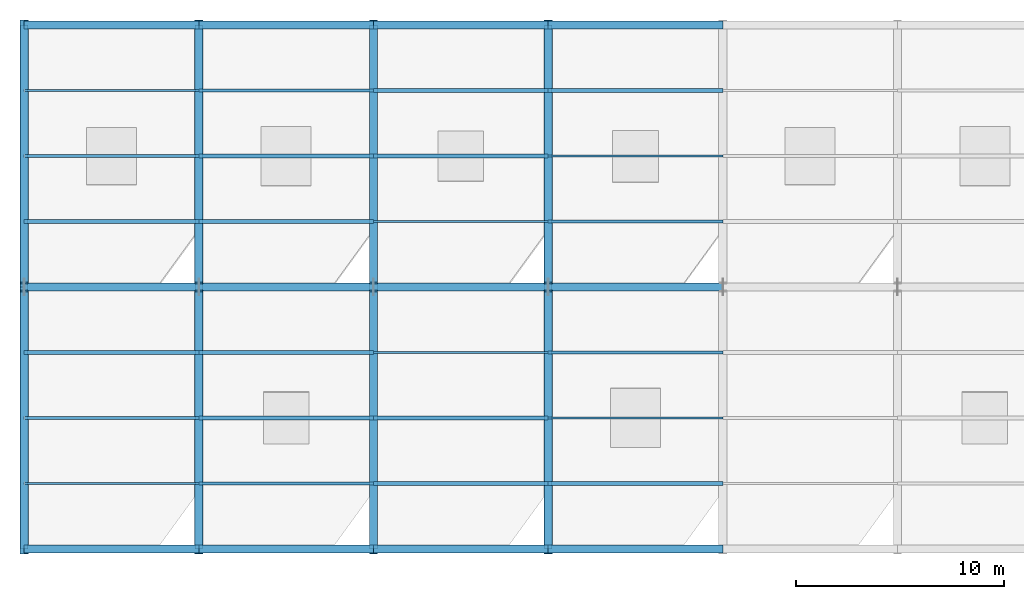
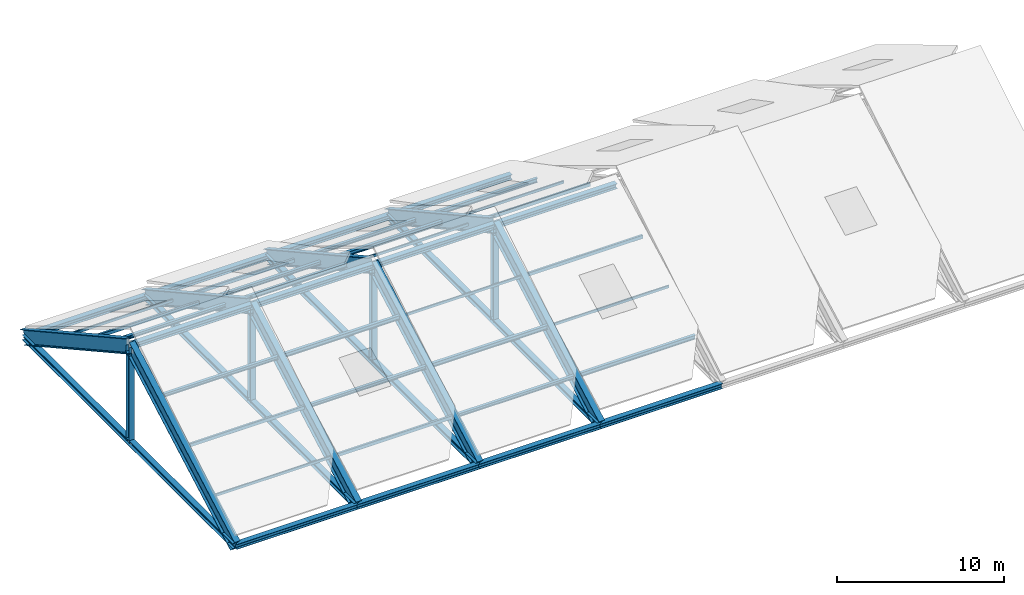
# One storey, part 2 of 13: 32 members, 20 beams.
"""IFC4 building model written with IfcOpenShell, lengths in metres."""

from ifc_helpers import new_model, si_unit, direction, frame, origin, origin_2d, place, context, subcontext, project, spatial, hollow_rectangle, i_section, extrude, material, material_profile, profile_set, type_object, element, save


model = new_model("IFC4")

# Units and contexts
model_context = context("Model", 3, precision=1e-05, world=origin(), true_north=direction((0.0, 1.0)))
body_context = subcontext(model_context, "Body", "Model", "MODEL_VIEW")
ifc_project = project(units=[si_unit("LENGTHUNIT", "METRE"), si_unit("AREAUNIT", "SQUARE_METRE"), si_unit("VOLUMEUNIT", "CUBIC_METRE"), si_unit("PLANEANGLEUNIT", "RADIAN"), si_unit("MASSUNIT", "GRAM", prefix="KILO")], contexts=[model_context])

# Site, building, storey
site_placement = place(None, origin())
site = spatial("IfcSite", under=ifc_project, at=site_placement, CompositionType="ELEMENT")
building_placement = place(site_placement, origin())
building = spatial("IfcBuilding", under=site, at=building_placement, Name="Calvrana Isthmian Art Gallery", CompositionType="ELEMENT")
storey_placement = place(building_placement, frame((0.0, 0.0, 29.39990234375)))
storey = spatial("IfcBuildingStorey", under=building, at=storey_placement, Name="RF", CompositionType="ELEMENT", Elevation=29.39990234375)

# Beams
ifc_material_1 = material(Name="Steel ASTM A992 Gr 50", Category="steel")
ifc_material_profile_1 = material_profile(ifc_material_1, i_section(OverallWidth=0.37109375, OverallDepth=0.363037109375, WebThickness=0.01318359375, FlangeThickness=0.021728515625, FilletRadius=0.02490234375, at=origin_2d()), Name="W14X109")
ifc_profile_set_1 = profile_set([ifc_material_profile_1], Name="Steel ASTM A992 Gr 50")
beam_type_1 = type_object("IfcBeamType", Name="BM-RF-W14X109", PredefinedType="BEAM", material=ifc_profile_set_1)
for number, where, z_axis, x_axis, name in (
    (1, (21.60009765625, 21.60009765625, -0.760498046875), (1.0, 0.0, 0.0), (0.0, 1.0, 0.0), "Folded plate eave beam S bay 1"),
    (2, (21.60009765625, 46.800048828125, -0.760498046875), (1.0, 0.0, 0.0), (0.0, 1.0, 0.0), "Folded plate eave beam N bay 1"),
    (3, (30.0, 21.60009765625, -0.760498046875), (1.0, 0.0, 0.0), (0.0, 1.0, 0.0), "Folded plate eave beam S bay 2"),
    (4, (30.0, 46.800048828125, -0.760498046875), (1.0, 0.0, 0.0), (0.0, 1.0, 0.0), "Folded plate eave beam N bay 2"),
):
    element("IfcBeam", number, at=place(storey_placement, frame(where, z_axis=z_axis, x_axis=x_axis)), inside=storey, type_object=beam_type_1, Name=name, PredefinedType="BEAM", context=body_context, shape_type="SweptSolid", body=[
        extrude(i_section(OverallWidth=0.37109375, OverallDepth=0.363037109375, WebThickness=0.01318359375, FlangeThickness=0.021728515625, FilletRadius=0.02490234375, at=origin_2d()), origin(), (0.0, 0.0, 1.0), 8.39990234375),
    ])
for number, where, z_axis, x_axis, name in (
    (5, (38.39990234375, 21.60009765625, -0.760498046875), (1.0, 0.0, 0.0), (0.0, 1.0, 0.0), "Folded plate eave beam S bay 3"),
    (6, (38.39990234375, 46.800048828125, -0.760498046875), (1.0, 0.0, 0.0), (0.0, 1.0, 0.0), "Folded plate eave beam N bay 3"),
):
    element("IfcBeam", number, at=place(storey_placement, frame(where, z_axis=z_axis, x_axis=x_axis)), inside=storey, type_object=beam_type_1, Name=name, PredefinedType="BEAM", context=body_context, shape_type="SweptSolid", body=[
        extrude(i_section(OverallWidth=0.37109375, OverallDepth=0.363037109375, WebThickness=0.01318359375, FlangeThickness=0.021728515625, FilletRadius=0.02490234375, at=origin_2d()), origin(), (0.0, 0.0, 1.0), 8.400146484375),
    ])
for number, where, z_axis, x_axis, name in (
    (7, (46.800048828125, 21.60009765625, -0.760498046875), (1.0, 0.0, 0.0), (0.0, 1.0, 0.0), "Folded plate eave beam S bay 4"),
    (8, (46.800048828125, 46.800048828125, -0.760498046875), (1.0, 0.0, 0.0), (0.0, 1.0, 0.0), "Folded plate eave beam N bay 4"),
):
    element("IfcBeam", number, at=place(storey_placement, frame(where, z_axis=z_axis, x_axis=x_axis)), inside=storey, type_object=beam_type_1, Name=name, PredefinedType="BEAM", context=body_context, shape_type="SweptSolid", body=[
        extrude(i_section(OverallWidth=0.37109375, OverallDepth=0.363037109375, WebThickness=0.01318359375, FlangeThickness=0.021728515625, FilletRadius=0.02490234375, at=origin_2d()), origin(), (0.0, 0.0, 1.0), 8.39990234375),
    ])
ifc_material_profile_2 = material_profile(ifc_material_1, i_section(OverallWidth=0.373046875, OverallDepth=0.367919921875, WebThickness=0.014892578125, FlangeThickness=0.02392578125, FilletRadius=0.02490234375, at=origin_2d()), Name="W14X120")
ifc_profile_set_2 = profile_set([ifc_material_profile_2], Name="Steel ASTM A992 Gr 50")
beam_type_2 = type_object("IfcBeamType", Name="BM-RF-W14X120", PredefinedType="BEAM", material=ifc_profile_set_2)
for number, where, z_axis, x_axis, name in (
    (9, (21.60009765625, 34.199951171875, 6.219482421875), (1.0, 0.0, 0.0), (0.0, 1.0, 0.0), "Folded plate ridge girder bay 1"),
    (10, (30.0, 34.199951171875, 6.219482421875), (1.0, 0.0, 0.0), (0.0, 1.0, 0.0), "Folded plate ridge girder bay 2"),
):
    element("IfcBeam", number, at=place(storey_placement, frame(where, z_axis=z_axis, x_axis=x_axis)), inside=storey, type_object=beam_type_2, Name=name, PredefinedType="BEAM", context=body_context, shape_type="SweptSolid", body=[
        extrude(i_section(OverallWidth=0.373046875, OverallDepth=0.367919921875, WebThickness=0.014892578125, FlangeThickness=0.02392578125, FilletRadius=0.02490234375, at=origin_2d()), origin(), (0.0, 0.0, 1.0), 8.39990234375),
    ])
beam_1_placement = place(storey_placement, frame((38.39990234375, 34.199951171875, 6.219482421875), z_axis=(1.0, 0.0, 0.0), x_axis=(0.0, 1.0, 0.0)))
element("IfcBeam", 11, at=beam_1_placement, inside=storey, type_object=beam_type_2, Name="Folded plate ridge girder bay 3", PredefinedType="BEAM", context=body_context, shape_type="SweptSolid", body=[
    extrude(i_section(OverallWidth=0.373046875, OverallDepth=0.367919921875, WebThickness=0.014892578125, FlangeThickness=0.02392578125, FilletRadius=0.02490234375, at=origin_2d()), origin(), (0.0, 0.0, 1.0), 8.400146484375),
])
beam_2_placement = place(storey_placement, frame((46.800048828125, 34.199951171875, 6.219482421875), z_axis=(1.0, 0.0, 0.0), x_axis=(0.0, 1.0, 0.0)))
element("IfcBeam", 12, at=beam_2_placement, inside=storey, type_object=beam_type_2, Name="Folded plate ridge girder bay 4", PredefinedType="BEAM", context=body_context, shape_type="SweptSolid", body=[
    extrude(i_section(OverallWidth=0.373046875, OverallDepth=0.367919921875, WebThickness=0.014892578125, FlangeThickness=0.02392578125, FilletRadius=0.02490234375, at=origin_2d()), origin(), (0.0, 0.0, 1.0), 8.39990234375),
])
ifc_material_profile_3 = material_profile(ifc_material_1, i_section(OverallWidth=0.40087890625, OverallDepth=1.0009765625, WebThickness=0.01904296875, FlangeThickness=0.0361328125, FilletRadius=0.030029296875, at=origin_2d()), Name="W40X249")
ifc_profile_set_3 = profile_set([ifc_material_profile_3], Name="Steel ASTM A992 Gr 50")
beam_type_3 = type_object("IfcBeamType", Name="BM-RF-W40X249", PredefinedType="BEAM", material=ifc_profile_set_3)
beam_3_placement = place(storey_placement, frame((21.60009765625, 21.60009765625, -0.760498046875), z_axis=(0.0, 0.874744270485, 0.484584833908), x_axis=(-1.0, 0.0, 0.0)))
element("IfcBeam", 13, at=beam_3_placement, inside=storey, type_object=beam_type_3, Name="Folded plate roof rafter south grid 04", PredefinedType="BEAM", context=body_context, shape_type="SweptSolid", body=[
    extrude(i_section(OverallWidth=0.40087890625, OverallDepth=1.0009765625, WebThickness=0.01904296875, FlangeThickness=0.0361328125, FilletRadius=0.030029296875, at=origin_2d()), origin(), (0.0, 0.0, 1.0), 14.404052734375),
])
beam_4_placement = place(storey_placement, frame((21.60009765625, 34.199951171875, 6.219482421875), z_axis=(0.0, 0.874748250508, -0.484577649332), x_axis=(-1.0, 0.0, 0.0)))
element("IfcBeam", 14, at=beam_4_placement, inside=storey, type_object=beam_type_3, Name="Folded plate roof rafter north grid 04", PredefinedType="BEAM", context=body_context, shape_type="SweptSolid", body=[
    extrude(i_section(OverallWidth=0.40087890625, OverallDepth=1.0009765625, WebThickness=0.01904296875, FlangeThickness=0.0361328125, FilletRadius=0.030029296875, at=origin_2d()), origin(), (0.0, 0.0, 1.0), 14.404296875),
])
beam_5_placement = place(storey_placement, frame((30.0, 21.60009765625, -0.760498046875), z_axis=(0.0, 0.874744270485, 0.484584833908), x_axis=(-1.0, 0.0, 0.0)))
element("IfcBeam", 15, at=beam_5_placement, inside=storey, type_object=beam_type_3, Name="Folded plate roof rafter south grid 05", PredefinedType="BEAM", context=body_context, shape_type="SweptSolid", body=[
    extrude(i_section(OverallWidth=0.40087890625, OverallDepth=1.0009765625, WebThickness=0.01904296875, FlangeThickness=0.0361328125, FilletRadius=0.030029296875, at=origin_2d()), origin(), (0.0, 0.0, 1.0), 14.404052734375),
])
beam_6_placement = place(storey_placement, frame((30.0, 34.199951171875, 6.219482421875), z_axis=(0.0, 0.874748250508, -0.484577649332), x_axis=(-1.0, 0.0, 0.0)))
element("IfcBeam", 16, at=beam_6_placement, inside=storey, type_object=beam_type_3, Name="Folded plate roof rafter north grid 05", PredefinedType="BEAM", context=body_context, shape_type="SweptSolid", body=[
    extrude(i_section(OverallWidth=0.40087890625, OverallDepth=1.0009765625, WebThickness=0.01904296875, FlangeThickness=0.0361328125, FilletRadius=0.030029296875, at=origin_2d()), origin(), (0.0, 0.0, 1.0), 14.404296875),
])
beam_7_placement = place(storey_placement, frame((38.39990234375, 21.60009765625, -0.760498046875), z_axis=(0.0, 0.874744270485, 0.484584833908), x_axis=(-1.0, 0.0, 0.0)))
element("IfcBeam", 17, at=beam_7_placement, inside=storey, type_object=beam_type_3, Name="Folded plate roof rafter south grid 06", PredefinedType="BEAM", context=body_context, shape_type="SweptSolid", body=[
    extrude(i_section(OverallWidth=0.40087890625, OverallDepth=1.0009765625, WebThickness=0.01904296875, FlangeThickness=0.0361328125, FilletRadius=0.030029296875, at=origin_2d()), origin(), (0.0, 0.0, 1.0), 14.404052734375),
])
beam_8_placement = place(storey_placement, frame((38.39990234375, 34.199951171875, 6.219482421875), z_axis=(0.0, 0.874748250508, -0.484577649332), x_axis=(-1.0, 0.0, 0.0)))
element("IfcBeam", 18, at=beam_8_placement, inside=storey, type_object=beam_type_3, Name="Folded plate roof rafter north grid 06", PredefinedType="BEAM", context=body_context, shape_type="SweptSolid", body=[
    extrude(i_section(OverallWidth=0.40087890625, OverallDepth=1.0009765625, WebThickness=0.01904296875, FlangeThickness=0.0361328125, FilletRadius=0.030029296875, at=origin_2d()), origin(), (0.0, 0.0, 1.0), 14.404296875),
])
beam_9_placement = place(storey_placement, frame((46.800048828125, 21.60009765625, -0.760498046875), z_axis=(0.0, 0.874744270485, 0.484584833908), x_axis=(-1.0, 0.0, 0.0)))
element("IfcBeam", 19, at=beam_9_placement, inside=storey, type_object=beam_type_3, Name="Folded plate roof rafter south grid 07", PredefinedType="BEAM", context=body_context, shape_type="SweptSolid", body=[
    extrude(i_section(OverallWidth=0.40087890625, OverallDepth=1.0009765625, WebThickness=0.01904296875, FlangeThickness=0.0361328125, FilletRadius=0.030029296875, at=origin_2d()), origin(), (0.0, 0.0, 1.0), 14.404052734375),
])
beam_10_placement = place(storey_placement, frame((46.800048828125, 34.199951171875, 6.219482421875), z_axis=(0.0, 0.874748250508, -0.484577649332), x_axis=(-1.0, 0.0, 0.0)))
element("IfcBeam", 20, at=beam_10_placement, inside=storey, type_object=beam_type_3, Name="Folded plate roof rafter north grid 07", PredefinedType="BEAM", context=body_context, shape_type="SweptSolid", body=[
    extrude(i_section(OverallWidth=0.40087890625, OverallDepth=1.0009765625, WebThickness=0.01904296875, FlangeThickness=0.0361328125, FilletRadius=0.030029296875, at=origin_2d()), origin(), (0.0, 0.0, 1.0), 14.404296875),
])

# Members
ifc_material_profile_4 = material_profile(ifc_material_1, i_section(OverallWidth=0.367919921875, OverallDepth=0.35595703125, WebThickness=0.01123046875, FlangeThickness=0.01806640625, FilletRadius=0.02490234375, at=origin_2d()), Name="W14X90")
ifc_profile_set_4 = profile_set([ifc_material_profile_4], Name="Steel ASTM A992 Gr 50")
member_type_1 = type_object("IfcMemberType", Name="MB-POST-W14X90", PredefinedType="POST", material=ifc_profile_set_4)
for number, where, z_axis, x_axis, name in (
    (21, (21.60009765625, 34.199951171875, -0.760498046875), (0.0, 0.0, 1.0), (1.0, 0.0, 0.0), "Folded plate king post 04"),
    (22, (30.0, 34.199951171875, -0.760498046875), (0.0, 0.0, 1.0), (1.0, 0.0, 0.0), "Folded plate king post 05"),
    (23, (38.39990234375, 34.199951171875, -0.760498046875), (0.0, 0.0, 1.0), (1.0, 0.0, 0.0), "Folded plate king post 06"),
    (24, (46.800048828125, 34.199951171875, -0.760498046875), (0.0, 0.0, 1.0), (1.0, 0.0, 0.0), "Folded plate king post 07"),
):
    element("IfcMember", number, at=place(storey_placement, frame(where, z_axis=z_axis, x_axis=x_axis)), inside=storey, type_object=member_type_1, Name=name, PredefinedType="POST", context=body_context, shape_type="SweptSolid", body=[
        extrude(i_section(OverallWidth=0.367919921875, OverallDepth=0.35595703125, WebThickness=0.01123046875, FlangeThickness=0.01806640625, FilletRadius=0.02490234375, at=origin_2d()), origin(), (0.0, 0.0, 1.0), 6.97998046875),
    ])
ifc_material_2 = material(Name="Steel ASTM A500 Gr C", Category="steel")
ifc_material_profile_5 = material_profile(ifc_material_2, hollow_rectangle(XDim=0.1015625, YDim=0.203125, WallThickness=0.009521484375, OuterFilletRadius=0.01904296875, at=origin_2d()), Name="HSS203X102X9.5")
ifc_profile_set_5 = profile_set([ifc_material_profile_5], Name="Steel ASTM A500 Gr C")
member_type_2 = type_object("IfcMemberType", Name="MB-PUR-HSS203", PredefinedType="PURLIN", material=ifc_profile_set_5)
for number, where, z_axis, x_axis, name in (
    (25, (21.60009765625, 24.75, 0.864501953125), (1.0, 0.0, 0.0), (0.0, 1.0, 0.0), "Folded plate purlin S bay 1.1"),
    (26, (21.60009765625, 43.64990234375, 0.864501953125), (1.0, 0.0, 0.0), (0.0, 1.0, 0.0), "Folded plate purlin N bay 1.1"),
):
    element("IfcMember", number, at=place(storey_placement, frame(where, z_axis=z_axis, x_axis=x_axis)), inside=storey, type_object=member_type_2, Name=name, PredefinedType="PURLIN", context=body_context, shape_type="SweptSolid", body=[
        extrude(hollow_rectangle(XDim=0.1015625, YDim=0.203125, WallThickness=0.009521484375, OuterFilletRadius=0.01904296875, at=origin_2d()), origin(), (0.0, 0.0, 1.0), 8.39990234375),
    ])
for number, where, z_axis, x_axis, name in (
    (27, (38.39990234375, 31.050048828125, 4.3544921875), (1.0, 0.0, 0.0), (0.0, 1.0, 0.0), "Folded plate purlin S bay 3.3"),
    (28, (38.39990234375, 37.35009765625, 4.3544921875), (1.0, 0.0, 0.0), (0.0, 1.0, 0.0), "Folded plate purlin N bay 3.3"),
):
    element("IfcMember", number, at=place(storey_placement, frame(where, z_axis=z_axis, x_axis=x_axis)), inside=storey, type_object=member_type_2, Name=name, PredefinedType="PURLIN", context=body_context, shape_type="SweptSolid", body=[
        extrude(hollow_rectangle(XDim=0.1015625, YDim=0.203125, WallThickness=0.009521484375, OuterFilletRadius=0.01904296875, at=origin_2d()), origin(), (0.0, 0.0, 1.0), 8.400146484375),
    ])
for number, where, z_axis, x_axis, name in (
    (29, (46.800048828125, 27.89990234375, 2.609619140625), (1.0, 0.0, 0.0), (0.0, 1.0, 0.0), "Folded plate purlin S bay 4.2"),
    (30, (46.800048828125, 40.5, 2.609619140625), (1.0, 0.0, 0.0), (0.0, 1.0, 0.0), "Folded plate purlin N bay 4.2"),
):
    element("IfcMember", number, at=place(storey_placement, frame(where, z_axis=z_axis, x_axis=x_axis)), inside=storey, type_object=member_type_2, Name=name, PredefinedType="PURLIN", context=body_context, shape_type="SweptSolid", body=[
        extrude(hollow_rectangle(XDim=0.1015625, YDim=0.203125, WallThickness=0.009521484375, OuterFilletRadius=0.01904296875, at=origin_2d()), origin(), (0.0, 0.0, 1.0), 8.39990234375),
    ])
ifc_material_profile_6 = material_profile(ifc_material_2, hollow_rectangle(XDim=0.15234375, YDim=0.25390625, WallThickness=0.009521484375, OuterFilletRadius=0.01904296875, at=origin_2d()), Name="HSS254X152X9.5")
ifc_profile_set_6 = profile_set([ifc_material_profile_6], Name="Steel ASTM A500 Gr C")
member_type_3 = type_object("IfcMemberType", Name="MB-PUR-HSS254", PredefinedType="PURLIN", material=ifc_profile_set_6)
for number, where, z_axis, x_axis, name in (
    (31, (21.60009765625, 27.89990234375, 2.609619140625), (1.0, 0.0, 0.0), (0.0, 1.0, 0.0), "Folded plate purlin S bay 1.2"),
    (32, (21.60009765625, 40.5, 2.609619140625), (1.0, 0.0, 0.0), (0.0, 1.0, 0.0), "Folded plate purlin N bay 1.2"),
    (33, (30.0, 24.75, 0.864501953125), (1.0, 0.0, 0.0), (0.0, 1.0, 0.0), "Folded plate purlin S bay 2.1"),
    (34, (30.0, 43.64990234375, 0.864501953125), (1.0, 0.0, 0.0), (0.0, 1.0, 0.0), "Folded plate purlin N bay 2.1"),
    (35, (46.800048828125, 31.050048828125, 4.3544921875), (1.0, 0.0, 0.0), (0.0, 1.0, 0.0), "Folded plate purlin S bay 4.3"),
    (36, (46.800048828125, 37.35009765625, 4.3544921875), (1.0, 0.0, 0.0), (0.0, 1.0, 0.0), "Folded plate purlin N bay 4.3"),
):
    element("IfcMember", number, at=place(storey_placement, frame(where, z_axis=z_axis, x_axis=x_axis)), inside=storey, type_object=member_type_3, Name=name, PredefinedType="PURLIN", context=body_context, shape_type="SweptSolid", body=[
        extrude(hollow_rectangle(XDim=0.15234375, YDim=0.25390625, WallThickness=0.009521484375, OuterFilletRadius=0.01904296875, at=origin_2d()), origin(), (0.0, 0.0, 1.0), 8.39990234375),
    ])
ifc_material_profile_7 = material_profile(ifc_material_1, i_section(OverallWidth=0.201904296875, OverallDepth=0.2470703125, WebThickness=0.00732421875, FlangeThickness=0.010986328125, FilletRadius=0.014892578125, at=origin_2d()), Name="W10X33")
ifc_profile_set_7 = profile_set([ifc_material_profile_7], Name="Steel ASTM A992 Gr 50")
member_type_4 = type_object("IfcMemberType", Name="MB-PUR-W10X33", PredefinedType="PURLIN", material=ifc_profile_set_7)
for number, where, z_axis, x_axis, name in (
    (37, (21.60009765625, 31.050048828125, 4.3544921875), (1.0, 0.0, 0.0), (0.0, 1.0, 0.0), "Folded plate purlin S bay 1.3"),
    (38, (21.60009765625, 37.35009765625, 4.3544921875), (1.0, 0.0, 0.0), (0.0, 1.0, 0.0), "Folded plate purlin N bay 1.3"),
    (39, (30.0, 27.89990234375, 2.609619140625), (1.0, 0.0, 0.0), (0.0, 1.0, 0.0), "Folded plate purlin S bay 2.2"),
    (40, (30.0, 40.5, 2.609619140625), (1.0, 0.0, 0.0), (0.0, 1.0, 0.0), "Folded plate purlin N bay 2.2"),
):
    element("IfcMember", number, at=place(storey_placement, frame(where, z_axis=z_axis, x_axis=x_axis)), inside=storey, type_object=member_type_4, Name=name, PredefinedType="PURLIN", context=body_context, shape_type="SweptSolid", body=[
        extrude(i_section(OverallWidth=0.201904296875, OverallDepth=0.2470703125, WebThickness=0.00732421875, FlangeThickness=0.010986328125, FilletRadius=0.014892578125, at=origin_2d()), origin(), (0.0, 0.0, 1.0), 8.39990234375),
    ])
for number, where, z_axis, x_axis, name in (
    (41, (38.39990234375, 24.75, 0.864501953125), (1.0, 0.0, 0.0), (0.0, 1.0, 0.0), "Folded plate purlin S bay 3.1"),
    (42, (38.39990234375, 43.64990234375, 0.864501953125), (1.0, 0.0, 0.0), (0.0, 1.0, 0.0), "Folded plate purlin N bay 3.1"),
):
    element("IfcMember", number, at=place(storey_placement, frame(where, z_axis=z_axis, x_axis=x_axis)), inside=storey, type_object=member_type_4, Name=name, PredefinedType="PURLIN", context=body_context, shape_type="SweptSolid", body=[
        extrude(i_section(OverallWidth=0.201904296875, OverallDepth=0.2470703125, WebThickness=0.00732421875, FlangeThickness=0.010986328125, FilletRadius=0.014892578125, at=origin_2d()), origin(), (0.0, 0.0, 1.0), 8.400146484375),
    ])
ifc_material_profile_8 = material_profile(ifc_material_1, i_section(OverallWidth=0.202880859375, OverallDepth=0.302001953125, WebThickness=0.007568359375, FlangeThickness=0.01318359375, FilletRadius=0.01611328125, at=origin_2d()), Name="W12X40")
ifc_profile_set_8 = profile_set([ifc_material_profile_8], Name="Steel ASTM A992 Gr 50")
member_type_5 = type_object("IfcMemberType", Name="MB-PUR-W12X40", PredefinedType="PURLIN", material=ifc_profile_set_8)
for number, where, z_axis, x_axis, name in (
    (43, (30.0, 31.050048828125, 4.3544921875), (1.0, 0.0, 0.0), (0.0, 1.0, 0.0), "Folded plate purlin S bay 2.3"),
    (44, (30.0, 37.35009765625, 4.3544921875), (1.0, 0.0, 0.0), (0.0, 1.0, 0.0), "Folded plate purlin N bay 2.3"),
):
    element("IfcMember", number, at=place(storey_placement, frame(where, z_axis=z_axis, x_axis=x_axis)), inside=storey, type_object=member_type_5, Name=name, PredefinedType="PURLIN", context=body_context, shape_type="SweptSolid", body=[
        extrude(i_section(OverallWidth=0.202880859375, OverallDepth=0.302001953125, WebThickness=0.007568359375, FlangeThickness=0.01318359375, FilletRadius=0.01611328125, at=origin_2d()), origin(), (0.0, 0.0, 1.0), 8.39990234375),
    ])
for number, where, z_axis, x_axis, name in (
    (45, (38.39990234375, 27.89990234375, 2.609619140625), (1.0, 0.0, 0.0), (0.0, 1.0, 0.0), "Folded plate purlin S bay 3.2"),
    (46, (38.39990234375, 40.5, 2.609619140625), (1.0, 0.0, 0.0), (0.0, 1.0, 0.0), "Folded plate purlin N bay 3.2"),
):
    element("IfcMember", number, at=place(storey_placement, frame(where, z_axis=z_axis, x_axis=x_axis)), inside=storey, type_object=member_type_5, Name=name, PredefinedType="PURLIN", context=body_context, shape_type="SweptSolid", body=[
        extrude(i_section(OverallWidth=0.202880859375, OverallDepth=0.302001953125, WebThickness=0.007568359375, FlangeThickness=0.01318359375, FilletRadius=0.01611328125, at=origin_2d()), origin(), (0.0, 0.0, 1.0), 8.400146484375),
    ])
for number, where, z_axis, x_axis, name in (
    (47, (46.800048828125, 24.75, 0.864501953125), (1.0, 0.0, 0.0), (0.0, 1.0, 0.0), "Folded plate purlin S bay 4.1"),
    (48, (46.800048828125, 43.64990234375, 0.864501953125), (1.0, 0.0, 0.0), (0.0, 1.0, 0.0), "Folded plate purlin N bay 4.1"),
):
    element("IfcMember", number, at=place(storey_placement, frame(where, z_axis=z_axis, x_axis=x_axis)), inside=storey, type_object=member_type_5, Name=name, PredefinedType="PURLIN", context=body_context, shape_type="SweptSolid", body=[
        extrude(i_section(OverallWidth=0.202880859375, OverallDepth=0.302001953125, WebThickness=0.007568359375, FlangeThickness=0.01318359375, FilletRadius=0.01611328125, at=origin_2d()), origin(), (0.0, 0.0, 1.0), 8.39990234375),
    ])
ifc_material_profile_9 = material_profile(ifc_material_1, i_section(OverallWidth=0.373046875, OverallDepth=0.373046875, WebThickness=0.016357421875, FlangeThickness=0.026123046875, FilletRadius=0.02490234375, at=origin_2d()), Name="W14X132")
ifc_profile_set_9 = profile_set([ifc_material_profile_9], Name="Steel ASTM A992 Gr 50")
member_type_6 = type_object("IfcMemberType", Name="MB-TRUSS-CHORD", PredefinedType="CHORD", material=ifc_profile_set_9)
for number, where, z_axis, x_axis, name in (
    (49, (21.60009765625, 21.60009765625, -0.760498046875), (0.0, 1.0, 0.0), (-1.0, 0.0, 0.0), "Folded plate tension tie chord 04"),
    (50, (30.0, 21.60009765625, -0.760498046875), (0.0, 1.0, 0.0), (-1.0, 0.0, 0.0), "Folded plate tension tie chord 05"),
    (51, (38.39990234375, 21.60009765625, -0.760498046875), (0.0, 1.0, 0.0), (-1.0, 0.0, 0.0), "Folded plate tension tie chord 06"),
    (52, (46.800048828125, 21.60009765625, -0.760498046875), (0.0, 1.0, 0.0), (-1.0, 0.0, 0.0), "Folded plate tension tie chord 07"),
):
    element("IfcMember", number, at=place(storey_placement, frame(where, z_axis=z_axis, x_axis=x_axis)), inside=storey, type_object=member_type_6, Name=name, PredefinedType="CHORD", context=body_context, shape_type="SweptSolid", body=[
        extrude(i_section(OverallWidth=0.373046875, OverallDepth=0.373046875, WebThickness=0.016357421875, FlangeThickness=0.026123046875, FilletRadius=0.02490234375, at=origin_2d()), origin(), (0.0, 0.0, 1.0), 25.199951171875),
    ])

save(model, "model.ifc")
